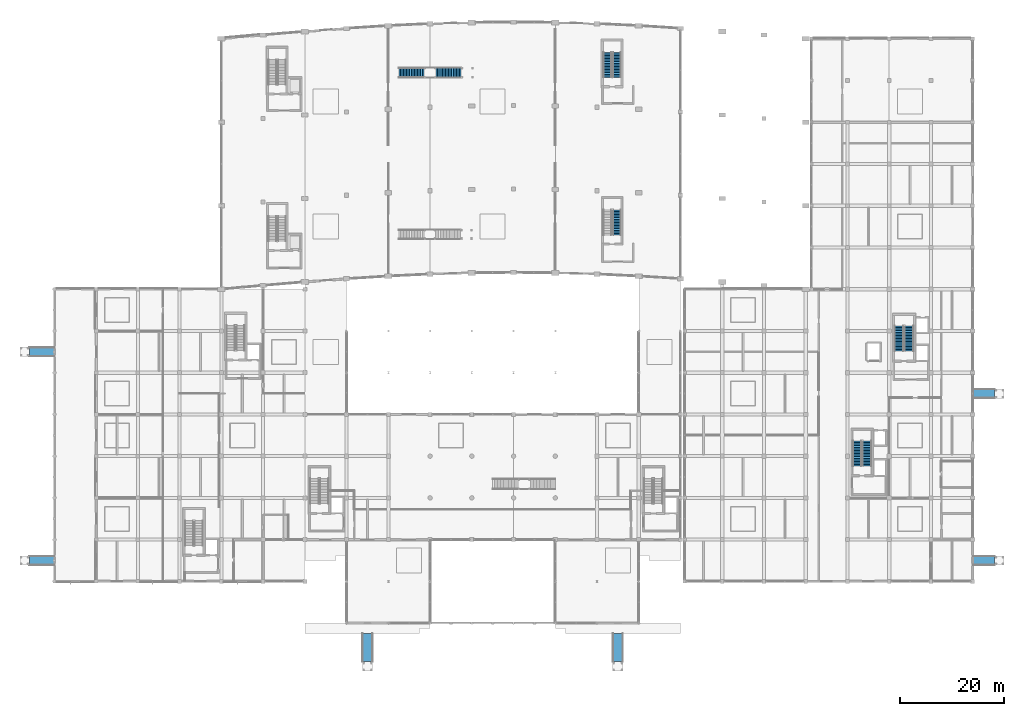
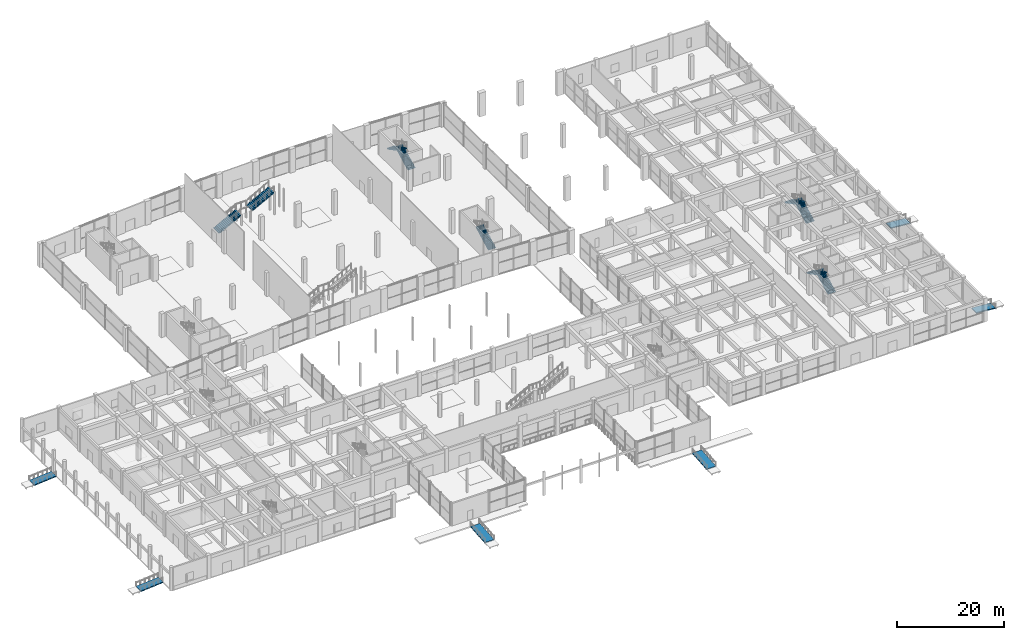
# One storey, part 64 of 86: 9 stair flights, 6 ramp flights, 11 elements without a shape of their own.
"""IFC4 building model written with IfcOpenShell, lengths in metres."""

from ifc_helpers import new_model, si_unit, direction, frame, origin, place, context, subcontext, project, spatial, polyline, outline, extrude, material, layer, layer_set, type_object, element, aggregate, save


model = new_model("IFC4")

# Units and contexts
model_context = context("Model", 3, precision=1e-05, world=origin(), true_north=direction((0.0, 1.0)))
body_context = subcontext(model_context, "Body", "Model", "MODEL_VIEW")
ifc_project = project(units=[si_unit("LENGTHUNIT", "METRE"), si_unit("AREAUNIT", "SQUARE_METRE"), si_unit("VOLUMEUNIT", "CUBIC_METRE"), si_unit("PLANEANGLEUNIT", "RADIAN"), si_unit("MASSUNIT", "GRAM", prefix="KILO")], contexts=[model_context])

# Site, building, storey
site_placement = place(None, origin())
site = spatial("IfcSite", under=ifc_project, at=site_placement, CompositionType="ELEMENT")
building_placement = place(site_placement, origin())
building = spatial("IfcBuilding", under=site, at=building_placement, Name="Kenh Van Central Station", CompositionType="ELEMENT")
storey_placement = place(building_placement, origin())
storey = spatial("IfcBuildingStorey", under=building, at=storey_placement, Name="L00", CompositionType="ELEMENT", Elevation=0.0)

# Stair, stair flight
ifc_material_1 = material(Name="Concrete C35/45", Category="concrete")
stair_type_1 = type_object("IfcStairType", Name="STR-DLG-1600", PredefinedType="HALF_TURN_STAIR", material=ifc_material_1)
stair_1_placement = place(storey_placement, origin())
stair_1 = element("IfcStair", 1, at=stair_1_placement, inside=storey, type_object=stair_type_1, Name="L00 Island Platform 1 East Evacuation Core", PredefinedType="HALF_TURN_STAIR")
ifc_layer_1 = layer(ifc_material_1, 0.179931640625, Name="Concrete C35/45")
ifc_layer_set_1 = layer_set([ifc_layer_1], Name="Concrete C35/45")
stair_flight_type_1 = type_object("IfcStairFlightType", Name="FLT-DLG-1600", PredefinedType="STRAIGHT", material=ifc_layer_set_1)
stair_flight_1_placement = place(storey_placement, frame((107.800048828125, 74.39990234375, 0.0), z_axis=(0.0, 0.0, 1.0), x_axis=(0.0, 1.0, 0.0)))
stair_flight_1 = element("IfcStairFlight", 2, at=stair_flight_1_placement, type_object=stair_flight_type_1, Name="ST-06 flight 1", NumberOfRisers=17, NumberOfTreads=16, PredefinedType="STRAIGHT", RiserHeight=0.158823529, TreadLength=0.3, context=body_context, shape_type="SweptSolid", body=[
    extrude(outline(polyline([(0.0, 0.0), (0.0, 0.158935546875), (0.300048828125, 0.158935546875), (0.300048828125, 0.317626953125), (0.60009765625, 0.317626953125), (0.60009765625, 0.4765625), (0.89990234375, 0.4765625), (0.89990234375, 0.63525390625), (1.199951171875, 0.63525390625), (1.199951171875, 0.794189453125), (1.5, 0.794189453125), (1.5, 0.952880859375), (1.800048828125, 0.952880859375), (1.800048828125, 1.11181640625), (2.10009765625, 1.11181640625), (2.10009765625, 1.2705078125), (2.39990234375, 1.2705078125), (2.39990234375, 1.429443359375), (2.699951171875, 1.429443359375), (2.699951171875, 1.588134765625), (3.0, 1.588134765625), (3.0, 1.7470703125), (3.300048828125, 1.7470703125), (3.300048828125, 1.90576171875), (3.60009765625, 1.90576171875), (3.60009765625, 2.064697265625), (3.89990234375, 2.064697265625), (3.89990234375, 2.2236328125), (4.199951171875, 2.2236328125), (4.199951171875, 2.38232421875), (4.5, 2.38232421875), (4.5, 2.541259765625), (4.800048828125, 2.541259765625), (4.800048828125, 2.699951171875), (4.800048828125, 2.337646484375), (0.384521484375, 0.0), (0.0, 0.0)])), frame((0.0, 0.800048828125, 0.0), z_axis=(0.0, -1.0, 0.0), x_axis=(1.0, 0.0, 0.0)), (0.0, 0.0, 1.0), 1.60009765625),
])
aggregate(stair_1, [stair_flight_1])

# Stair, stair flights
stair_2_placement = place(storey_placement, origin())
stair_2 = element("IfcStair", 3, at=stair_2_placement, inside=storey, type_object=stair_type_1, Name="L00 Island Platform 2 East Evacuation Core", PredefinedType="HALF_TURN_STAIR")
stair_flight_2_placement = place(storey_placement, frame((107.800048828125, 104.60009765625, 0.0), z_axis=(0.0, 0.0, 1.0), x_axis=(0.0, 1.0, 0.0)))
stair_flight_2 = element("IfcStairFlight", 4, at=stair_flight_2_placement, type_object=stair_flight_type_1, Name="ST-08 flight 1", NumberOfRisers=17, NumberOfTreads=16, PredefinedType="STRAIGHT", RiserHeight=0.158823529, TreadLength=0.3, context=body_context, shape_type="SweptSolid", body=[
    extrude(outline(polyline([(0.0, 0.0), (0.0, 0.158935546875), (0.300048828125, 0.158935546875), (0.300048828125, 0.317626953125), (0.60009765625, 0.317626953125), (0.60009765625, 0.4765625), (0.89990234375, 0.4765625), (0.89990234375, 0.63525390625), (1.199951171875, 0.63525390625), (1.199951171875, 0.794189453125), (1.5, 0.794189453125), (1.5, 0.952880859375), (1.800048828125, 0.952880859375), (1.800048828125, 1.11181640625), (2.10009765625, 1.11181640625), (2.10009765625, 1.2705078125), (2.39990234375, 1.2705078125), (2.39990234375, 1.429443359375), (2.699951171875, 1.429443359375), (2.699951171875, 1.588134765625), (3.0, 1.588134765625), (3.0, 1.7470703125), (3.300048828125, 1.7470703125), (3.300048828125, 1.90576171875), (3.60009765625, 1.90576171875), (3.60009765625, 2.064697265625), (3.89990234375, 2.064697265625), (3.89990234375, 2.2236328125), (4.199951171875, 2.2236328125), (4.199951171875, 2.38232421875), (4.5, 2.38232421875), (4.5, 2.541259765625), (4.800048828125, 2.541259765625), (4.800048828125, 2.699951171875), (4.800048828125, 2.337646484375), (0.384521484375, 0.0), (0.0, 0.0)])), frame((0.0, 0.800048828125, 0.0), z_axis=(0.0, -1.0, 0.0), x_axis=(1.0, 0.0, 0.0)), (0.0, 0.0, 1.0), 1.60009765625),
])
stair_flight_3_placement = place(storey_placement, frame((106.0, 109.39990234375, 2.699951171875), z_axis=(0.0, 0.0, 1.0), x_axis=(0.0, -1.0, 0.0)))
stair_flight_3 = element("IfcStairFlight", 5, at=stair_flight_3_placement, type_object=stair_flight_type_1, Name="ST-08 flight 2", NumberOfRisers=17, NumberOfTreads=16, PredefinedType="STRAIGHT", RiserHeight=0.158823529, TreadLength=0.3, context=body_context, shape_type="SweptSolid", body=[
    extrude(outline(polyline([(0.0, 0.0), (0.0, 0.158935546875), (0.300048828125, 0.158935546875), (0.300048828125, 0.317626953125), (0.60009765625, 0.317626953125), (0.60009765625, 0.4765625), (0.89990234375, 0.4765625), (0.89990234375, 0.63525390625), (1.199951171875, 0.63525390625), (1.199951171875, 0.794189453125), (1.5, 0.794189453125), (1.5, 0.952880859375), (1.800048828125, 0.952880859375), (1.800048828125, 1.11181640625), (2.10009765625, 1.11181640625), (2.10009765625, 1.2705078125), (2.39990234375, 1.2705078125), (2.39990234375, 1.429443359375), (2.699951171875, 1.429443359375), (2.699951171875, 1.588134765625), (3.0, 1.588134765625), (3.0, 1.7470703125), (3.300048828125, 1.7470703125), (3.300048828125, 1.90576171875), (3.60009765625, 1.90576171875), (3.60009765625, 2.064697265625), (3.89990234375, 2.064697265625), (3.89990234375, 2.2236328125), (4.199951171875, 2.2236328125), (4.199951171875, 2.38232421875), (4.5, 2.38232421875), (4.5, 2.541259765625), (4.800048828125, 2.541259765625), (4.800048828125, 2.699951171875), (4.800048828125, 2.337646484375), (0.384521484375, 0.0), (0.0, 0.0)])), frame((0.0, 0.800048828125, 0.0), z_axis=(0.0, -1.0, 0.0), x_axis=(1.0, 0.0, 0.0)), (0.0, 0.0, 1.0), 1.60009765625),
])
aggregate(stair_2, [stair_flight_2, stair_flight_3])

stair_type_2 = type_object("IfcStairType", Name="STR-DLG-1700", PredefinedType="HALF_TURN_STAIR", material=ifc_material_1)
stair_3_placement = place(storey_placement, origin())
stair_3 = element("IfcStair", 6, at=stair_3_placement, inside=storey, type_object=stair_type_2, Name="L00 Operations South Firefighting Core", PredefinedType="HALF_TURN_STAIR")
ifc_layer_2 = layer(ifc_material_1, 0.179931640625, Name="Concrete C35/45")
ifc_layer_set_2 = layer_set([ifc_layer_2], Name="Concrete C35/45")
stair_flight_type_2 = type_object("IfcStairFlightType", Name="FLT-DLG-1700", PredefinedType="STRAIGHT", material=ifc_layer_set_2)
stair_flight_4_placement = place(storey_placement, frame((155.75, 30.10009765625, 0.0), z_axis=(0.0, 0.0, 1.0), x_axis=(0.0, 1.0, 0.0)))
stair_flight_4 = element("IfcStairFlight", 7, at=stair_flight_4_placement, type_object=stair_flight_type_2, Name="ST-09 flight 1", NumberOfRisers=17, NumberOfTreads=16, PredefinedType="STRAIGHT", RiserHeight=0.158823529, TreadLength=0.3, context=body_context, shape_type="SweptSolid", body=[
    extrude(outline(polyline([(0.0, 0.0), (0.0, 0.158935546875), (0.300048828125, 0.158935546875), (0.300048828125, 0.317626953125), (0.60009765625, 0.317626953125), (0.60009765625, 0.4765625), (0.89990234375, 0.4765625), (0.89990234375, 0.63525390625), (1.199951171875, 0.63525390625), (1.199951171875, 0.794189453125), (1.5, 0.794189453125), (1.5, 0.952880859375), (1.800048828125, 0.952880859375), (1.800048828125, 1.11181640625), (2.10009765625, 1.11181640625), (2.10009765625, 1.2705078125), (2.39990234375, 1.2705078125), (2.39990234375, 1.429443359375), (2.699951171875, 1.429443359375), (2.699951171875, 1.588134765625), (3.0, 1.588134765625), (3.0, 1.7470703125), (3.300048828125, 1.7470703125), (3.300048828125, 1.90576171875), (3.60009765625, 1.90576171875), (3.60009765625, 2.064697265625), (3.89990234375, 2.064697265625), (3.89990234375, 2.2236328125), (4.199951171875, 2.2236328125), (4.199951171875, 2.38232421875), (4.5, 2.38232421875), (4.5, 2.541259765625), (4.800048828125, 2.541259765625), (4.800048828125, 2.699951171875), (4.800048828125, 2.337646484375), (0.384521484375, 0.0), (0.0, 0.0)])), frame((0.0, 0.85009765625, 0.0), z_axis=(0.0, -1.0, 0.0), x_axis=(1.0, 0.0, 0.0)), (0.0, 0.0, 1.0), 1.699951171875),
])
stair_flight_5_placement = place(storey_placement, frame((153.85009765625, 34.89990234375, 2.699951171875), z_axis=(0.0, 0.0, 1.0), x_axis=(0.0, -1.0, 0.0)))
stair_flight_5 = element("IfcStairFlight", 8, at=stair_flight_5_placement, type_object=stair_flight_type_2, Name="ST-09 flight 2", NumberOfRisers=17, NumberOfTreads=16, PredefinedType="STRAIGHT", RiserHeight=0.158823529, TreadLength=0.3, context=body_context, shape_type="SweptSolid", body=[
    extrude(outline(polyline([(0.0, 0.0), (0.0, 0.158935546875), (0.300048828125, 0.158935546875), (0.300048828125, 0.317626953125), (0.60009765625, 0.317626953125), (0.60009765625, 0.4765625), (0.89990234375, 0.4765625), (0.89990234375, 0.63525390625), (1.199951171875, 0.63525390625), (1.199951171875, 0.794189453125), (1.5, 0.794189453125), (1.5, 0.952880859375), (1.800048828125, 0.952880859375), (1.800048828125, 1.11181640625), (2.10009765625, 1.11181640625), (2.10009765625, 1.2705078125), (2.39990234375, 1.2705078125), (2.39990234375, 1.429443359375), (2.699951171875, 1.429443359375), (2.699951171875, 1.588134765625), (3.0, 1.588134765625), (3.0, 1.7470703125), (3.300048828125, 1.7470703125), (3.300048828125, 1.90576171875), (3.60009765625, 1.90576171875), (3.60009765625, 2.064697265625), (3.89990234375, 2.064697265625), (3.89990234375, 2.2236328125), (4.199951171875, 2.2236328125), (4.199951171875, 2.38232421875), (4.5, 2.38232421875), (4.5, 2.541259765625), (4.800048828125, 2.541259765625), (4.800048828125, 2.699951171875), (4.800048828125, 2.337646484375), (0.384521484375, 0.0), (0.0, 0.0)])), frame((0.0, 0.85009765625, 0.0), z_axis=(0.0, -1.0, 0.0), x_axis=(1.0, 0.0, 0.0)), (0.0, 0.0, 1.0), 1.699951171875),
])
aggregate(stair_3, [stair_flight_4, stair_flight_5])

stair_type_3 = type_object("IfcStairType", Name="STR-DLG-1750", PredefinedType="HALF_TURN_STAIR", material=ifc_material_1)
stair_4_placement = place(storey_placement, origin())
stair_4 = element("IfcStair", 9, at=stair_4_placement, inside=storey, type_object=stair_type_3, Name="L00 Operations North Firefighting and Goods Core", PredefinedType="HALF_TURN_STAIR")
ifc_layer_3 = layer(ifc_material_1, 0.179931640625, Name="Concrete C35/45")
ifc_layer_set_3 = layer_set([ifc_layer_3], Name="Concrete C35/45")
stair_flight_type_3 = type_object("IfcStairFlightType", Name="FLT-DLG-1750", PredefinedType="STRAIGHT", material=ifc_layer_set_3)
stair_flight_6_placement = place(storey_placement, frame((163.824951171875, 52.14990234375, 0.0), z_axis=(0.0, 0.0, 1.0), x_axis=(0.0, 1.0, 0.0)))
stair_flight_6 = element("IfcStairFlight", 10, at=stair_flight_6_placement, type_object=stair_flight_type_3, Name="ST-10 flight 1", NumberOfRisers=17, NumberOfTreads=16, PredefinedType="STRAIGHT", RiserHeight=0.158823529, TreadLength=0.3, context=body_context, shape_type="SweptSolid", body=[
    extrude(outline(polyline([(0.0, 0.0), (0.0, 0.158935546875), (0.300048828125, 0.158935546875), (0.300048828125, 0.317626953125), (0.60009765625, 0.317626953125), (0.60009765625, 0.4765625), (0.89990234375, 0.4765625), (0.89990234375, 0.63525390625), (1.199951171875, 0.63525390625), (1.199951171875, 0.794189453125), (1.5, 0.794189453125), (1.5, 0.952880859375), (1.800048828125, 0.952880859375), (1.800048828125, 1.11181640625), (2.10009765625, 1.11181640625), (2.10009765625, 1.2705078125), (2.39990234375, 1.2705078125), (2.39990234375, 1.429443359375), (2.699951171875, 1.429443359375), (2.699951171875, 1.588134765625), (3.0, 1.588134765625), (3.0, 1.7470703125), (3.300048828125, 1.7470703125), (3.300048828125, 1.90576171875), (3.60009765625, 1.90576171875), (3.60009765625, 2.064697265625), (3.89990234375, 2.064697265625), (3.89990234375, 2.2236328125), (4.199951171875, 2.2236328125), (4.199951171875, 2.38232421875), (4.5, 2.38232421875), (4.5, 2.541259765625), (4.800048828125, 2.541259765625), (4.800048828125, 2.699951171875), (4.800048828125, 2.337646484375), (0.384521484375, 0.0), (0.0, 0.0)])), frame((0.0, 0.875, 0.0), z_axis=(0.0, -1.0, 0.0), x_axis=(1.0, 0.0, 0.0)), (0.0, 0.0, 1.0), 1.75),
])
stair_flight_7_placement = place(storey_placement, frame((161.875, 56.949951171875, 2.699951171875), z_axis=(0.0, 0.0, 1.0), x_axis=(0.0, -1.0, 0.0)))
stair_flight_7 = element("IfcStairFlight", 11, at=stair_flight_7_placement, type_object=stair_flight_type_3, Name="ST-10 flight 2", NumberOfRisers=17, NumberOfTreads=16, PredefinedType="STRAIGHT", RiserHeight=0.158823529, TreadLength=0.3, context=body_context, shape_type="SweptSolid", body=[
    extrude(outline(polyline([(0.0, 0.0), (0.0, 0.158935546875), (0.300048828125, 0.158935546875), (0.300048828125, 0.317626953125), (0.60009765625, 0.317626953125), (0.60009765625, 0.4765625), (0.89990234375, 0.4765625), (0.89990234375, 0.63525390625), (1.199951171875, 0.63525390625), (1.199951171875, 0.794189453125), (1.5, 0.794189453125), (1.5, 0.952880859375), (1.800048828125, 0.952880859375), (1.800048828125, 1.11181640625), (2.10009765625, 1.11181640625), (2.10009765625, 1.2705078125), (2.39990234375, 1.2705078125), (2.39990234375, 1.429443359375), (2.699951171875, 1.429443359375), (2.699951171875, 1.588134765625), (3.0, 1.588134765625), (3.0, 1.7470703125), (3.300048828125, 1.7470703125), (3.300048828125, 1.90576171875), (3.60009765625, 1.90576171875), (3.60009765625, 2.064697265625), (3.89990234375, 2.064697265625), (3.89990234375, 2.2236328125), (4.199951171875, 2.2236328125), (4.199951171875, 2.38232421875), (4.5, 2.38232421875), (4.5, 2.541259765625), (4.800048828125, 2.541259765625), (4.800048828125, 2.699951171875), (4.800048828125, 2.337646484375), (0.384521484375, 0.0), (0.0, 0.0)])), frame((0.0, 0.875, 0.0), z_axis=(0.0, -1.0, 0.0), x_axis=(1.0, 0.0, 0.0)), (0.0, 0.0, 1.0), 1.75),
])
aggregate(stair_4, [stair_flight_6, stair_flight_7])

ifc_material_2 = material(Name="Concrete C40/50", Category="concrete")
stair_type_4 = type_object("IfcStairType", Name="STR-PUB-2050", PredefinedType="STRAIGHT_RUN_STAIR", material=ifc_material_2)
stair_5_placement = place(storey_placement, origin())
stair_5 = element("IfcStair", 12, at=stair_5_placement, inside=storey, type_object=stair_type_4, Name="Island Platform 2 Central Transfer Stair", PredefinedType="STRAIGHT_RUN_STAIR")
ifc_layer_4 = layer(ifc_material_2, 0.199951171875, Name="Concrete C40/50")
ifc_layer_set_4 = layer_set([ifc_layer_4], Name="Concrete C40/50")
stair_flight_type_4 = type_object("IfcStairFlightType", Name="FLT-PUB-2050", PredefinedType="STRAIGHT", material=ifc_layer_set_4)
stair_flight_8_placement = place(storey_placement, frame((66.0, 105.5, 0.0), z_axis=(0.0, 0.0, 1.0), x_axis=(1.0, 0.0, 0.0)))
stair_flight_8 = element("IfcStairFlight", 13, at=stair_flight_8_placement, type_object=stair_flight_type_4, Name="ST-P6A flight 1", NumberOfRisers=17, NumberOfTreads=16, PredefinedType="STRAIGHT", RiserHeight=0.158823529, TreadLength=0.3, context=body_context, shape_type="SweptSolid", body=[
    extrude(outline(polyline([(0.0, 0.0), (0.0, 0.158935546875), (0.300048828125, 0.158935546875), (0.300048828125, 0.317626953125), (0.60009765625, 0.317626953125), (0.60009765625, 0.4765625), (0.89990234375, 0.4765625), (0.89990234375, 0.63525390625), (1.199951171875, 0.63525390625), (1.199951171875, 0.794189453125), (1.5, 0.794189453125), (1.5, 0.952880859375), (1.800048828125, 0.952880859375), (1.800048828125, 1.11181640625), (2.10009765625, 1.11181640625), (2.10009765625, 1.2705078125), (2.39990234375, 1.2705078125), (2.39990234375, 1.429443359375), (2.699951171875, 1.429443359375), (2.699951171875, 1.588134765625), (3.0, 1.588134765625), (3.0, 1.7470703125), (3.300048828125, 1.7470703125), (3.300048828125, 1.90576171875), (3.60009765625, 1.90576171875), (3.60009765625, 2.064697265625), (3.89990234375, 2.064697265625), (3.89990234375, 2.2236328125), (4.199951171875, 2.2236328125), (4.199951171875, 2.38232421875), (4.5, 2.38232421875), (4.5, 2.541259765625), (4.800048828125, 2.541259765625), (4.800048828125, 2.699951171875), (4.800048828125, 2.31494140625), (0.42724609375, 0.0), (0.0, 0.0)])), frame((0.0, 1.02490234375, 0.0), z_axis=(0.0, -1.0, 0.0), x_axis=(1.0, 0.0, 0.0)), (0.0, 0.0, 1.0), 2.050048828125),
])
stair_flight_9_placement = place(storey_placement, frame((73.14990234375, 105.5, 2.699951171875), z_axis=(0.0, 0.0, 1.0), x_axis=(1.0, 0.0, 0.0)))
stair_flight_9 = element("IfcStairFlight", 14, at=stair_flight_9_placement, type_object=stair_flight_type_4, Name="ST-P6A flight 2", NumberOfRisers=17, NumberOfTreads=16, PredefinedType="STRAIGHT", RiserHeight=0.158823529, TreadLength=0.3, context=body_context, shape_type="SweptSolid", body=[
    extrude(outline(polyline([(0.0, 0.0), (0.0, 0.158935546875), (0.300048828125, 0.158935546875), (0.300048828125, 0.317626953125), (0.60009765625, 0.317626953125), (0.60009765625, 0.4765625), (0.89990234375, 0.4765625), (0.89990234375, 0.63525390625), (1.199951171875, 0.63525390625), (1.199951171875, 0.794189453125), (1.5, 0.794189453125), (1.5, 0.952880859375), (1.800048828125, 0.952880859375), (1.800048828125, 1.11181640625), (2.10009765625, 1.11181640625), (2.10009765625, 1.2705078125), (2.39990234375, 1.2705078125), (2.39990234375, 1.429443359375), (2.699951171875, 1.429443359375), (2.699951171875, 1.588134765625), (3.0, 1.588134765625), (3.0, 1.7470703125), (3.300048828125, 1.7470703125), (3.300048828125, 1.90576171875), (3.60009765625, 1.90576171875), (3.60009765625, 2.064697265625), (3.89990234375, 2.064697265625), (3.89990234375, 2.2236328125), (4.199951171875, 2.2236328125), (4.199951171875, 2.38232421875), (4.5, 2.38232421875), (4.5, 2.541259765625), (4.800048828125, 2.541259765625), (4.800048828125, 2.699951171875), (4.800048828125, 2.31494140625), (0.42724609375, 0.0), (0.0, 0.0)])), frame((0.0, 1.02490234375, 0.0), z_axis=(0.0, -1.0, 0.0), x_axis=(1.0, 0.0, 0.0)), (0.0, 0.0, 1.0), 2.050048828125),
])
aggregate(stair_5, [stair_flight_8, stair_flight_9])

# Ramp, ramp flight
ramp_type_1 = type_object("IfcRampType", Name="RMP-ACC-1800", PredefinedType="STRAIGHT_RUN_RAMP", material=ifc_material_2)
ramp_1_placement = place(storey_placement, origin())
ramp_1 = element("IfcRamp", 15, at=ramp_1_placement, inside=storey, type_object=ramp_type_1, Name="West Street Arcade South Accessible Ramp", PredefinedType="STRAIGHT_RUN_RAMP")
ifc_layer_5 = layer(ifc_material_2, 0.219970703125, Name="Concrete C40/50")
ifc_layer_set_5 = layer_set([ifc_layer_5], Name="Concrete C40/50")
ramp_flight_type_1 = type_object("IfcRampFlightType", Name="RMF-ACC-1800", PredefinedType="STRAIGHT", material=ifc_layer_set_5)
ramp_flight_1_placement = place(storey_placement, frame((-4.800048828125, 12.0, -0.39990234375), z_axis=(0.0, 0.0, 1.0), x_axis=(1.0, 0.0, 0.0)))
ramp_flight_1 = element("IfcRampFlight", 16, at=ramp_flight_1_placement, type_object=ramp_flight_type_1, Name="West Street Arcade South Accessible Ramp flight 1", PredefinedType="STRAIGHT", context=body_context, shape_type="SweptSolid", body=[
    extrude(outline(polyline([(0.0, 0.0), (0.0, -0.219970703125), (4.800048828125, 0.179931640625), (4.800048828125, 0.39990234375), (0.0, 0.0)])), frame((0.0, 0.89990234375, 0.0), z_axis=(0.0, -1.0, 0.0), x_axis=(1.0, 0.0, 0.0)), (0.0, 0.0, 1.0), 1.800048828125),
])
aggregate(ramp_1, [ramp_flight_1])

ramp_2_placement = place(storey_placement, origin())
ramp_2 = element("IfcRamp", 17, at=ramp_2_placement, inside=storey, type_object=ramp_type_1, Name="West Street Arcade North Accessible Ramp", PredefinedType="STRAIGHT_RUN_RAMP")
ramp_flight_2_placement = place(storey_placement, frame((-4.800048828125, 52.0, -0.39990234375), z_axis=(0.0, 0.0, 1.0), x_axis=(1.0, 0.0, 0.0)))
ramp_flight_2 = element("IfcRampFlight", 18, at=ramp_flight_2_placement, type_object=ramp_flight_type_1, Name="West Street Arcade North Accessible Ramp flight 1", PredefinedType="STRAIGHT", context=body_context, shape_type="SweptSolid", body=[
    extrude(outline(polyline([(0.0, 0.0), (0.0, -0.219970703125), (4.800048828125, 0.179931640625), (4.800048828125, 0.39990234375), (0.0, 0.0)])), frame((0.0, 0.89990234375, 0.0), z_axis=(0.0, -1.0, 0.0), x_axis=(1.0, 0.0, 0.0)), (0.0, 0.0, 1.0), 1.800048828125),
])
aggregate(ramp_2, [ramp_flight_2])

ramp_3_placement = place(storey_placement, origin())
ramp_3 = element("IfcRamp", 19, at=ramp_3_placement, inside=storey, type_object=ramp_type_1, Name="Fire Command Street Threshold Ramp", PredefinedType="STRAIGHT_RUN_RAMP")
ramp_flight_3_placement = place(storey_placement, frame((180.199951171875, 12.0, -0.35009765625), z_axis=(0.0, 0.0, 1.0), x_axis=(-1.0, 0.0, 0.0)))
ramp_flight_3 = element("IfcRampFlight", 20, at=ramp_flight_3_placement, type_object=ramp_flight_type_1, Name="Fire Command Street Threshold Ramp flight 1", PredefinedType="STRAIGHT", context=body_context, shape_type="SweptSolid", body=[
    extrude(outline(polyline([(0.0, 0.0), (0.0, -0.219970703125), (4.199951171875, 0.130126953125), (4.199951171875, 0.35009765625), (0.0, 0.0)])), frame((0.0, 0.89990234375, 0.0), z_axis=(0.0, -1.0, 0.0), x_axis=(1.0, 0.0, 0.0)), (0.0, 0.0, 1.0), 1.800048828125),
])
aggregate(ramp_3, [ramp_flight_3])

ramp_4_placement = place(storey_placement, origin())
ramp_4 = element("IfcRamp", 21, at=ramp_4_placement, inside=storey, type_object=ramp_type_1, Name="Operations East Entrance Accessible Ramp", PredefinedType="STRAIGHT_RUN_RAMP")
ramp_flight_4_placement = place(storey_placement, frame((180.199951171875, 44.0, -0.35009765625), z_axis=(0.0, 0.0, 1.0), x_axis=(-1.0, 0.0, 0.0)))
ramp_flight_4 = element("IfcRampFlight", 22, at=ramp_flight_4_placement, type_object=ramp_flight_type_1, Name="Operations East Entrance Accessible Ramp flight 1", PredefinedType="STRAIGHT", context=body_context, shape_type="SweptSolid", body=[
    extrude(outline(polyline([(0.0, 0.0), (0.0, -0.219970703125), (4.199951171875, 0.130126953125), (4.199951171875, 0.35009765625), (0.0, 0.0)])), frame((0.0, 0.89990234375, 0.0), z_axis=(0.0, -1.0, 0.0), x_axis=(1.0, 0.0, 0.0)), (0.0, 0.0, 1.0), 1.800048828125),
])
aggregate(ramp_4, [ramp_flight_4])

ramp_type_2 = type_object("IfcRampType", Name="RMP-ACC-2000", PredefinedType="STRAIGHT_RUN_RAMP", material=ifc_material_2)
ramp_5_placement = place(storey_placement, origin())
ramp_5 = element("IfcRamp", 23, at=ramp_5_placement, inside=storey, type_object=ramp_type_2, Name="Forecourt West Drop-Off Accessible Ramp", PredefinedType="STRAIGHT_RUN_RAMP")
ifc_layer_6 = layer(ifc_material_2, 0.219970703125, Name="Concrete C40/50")
ifc_layer_set_6 = layer_set([ifc_layer_6], Name="Concrete C40/50")
ramp_flight_type_2 = type_object("IfcRampFlightType", Name="RMF-ACC-2000", PredefinedType="STRAIGHT", material=ifc_layer_set_6)
ramp_flight_5_placement = place(storey_placement, frame((60.0, -7.39990234375, -0.449951171875), z_axis=(0.0, 0.0, 1.0), x_axis=(0.0, 1.0, 0.0)))
ramp_flight_5 = element("IfcRampFlight", 24, at=ramp_flight_5_placement, type_object=ramp_flight_type_2, Name="Forecourt West Drop-Off Accessible Ramp flight 1", PredefinedType="STRAIGHT", context=body_context, shape_type="SweptSolid", body=[
    extrude(outline(polyline([(0.0, 0.0), (0.0, -0.219970703125), (5.39990234375, 0.22998046875), (5.39990234375, 0.449951171875), (0.0, 0.0)])), frame((0.0, 1.0, 0.0), z_axis=(0.0, -1.0, 0.0), x_axis=(1.0, 0.0, 0.0)), (0.0, 0.0, 1.0), 2.0),
])
aggregate(ramp_5, [ramp_flight_5])

ramp_6_placement = place(storey_placement, origin())
ramp_6 = element("IfcRamp", 25, at=ramp_6_placement, inside=storey, type_object=ramp_type_2, Name="Forecourt East Drop-Off Accessible Ramp", PredefinedType="STRAIGHT_RUN_RAMP")
ramp_flight_6_placement = place(storey_placement, frame((108.0, -7.39990234375, -0.449951171875), z_axis=(0.0, 0.0, 1.0), x_axis=(0.0, 1.0, 0.0)))
ramp_flight_6 = element("IfcRampFlight", 26, at=ramp_flight_6_placement, type_object=ramp_flight_type_2, Name="Forecourt East Drop-Off Accessible Ramp flight 1", PredefinedType="STRAIGHT", context=body_context, shape_type="SweptSolid", body=[
    extrude(outline(polyline([(0.0, 0.0), (0.0, -0.219970703125), (5.39990234375, 0.22998046875), (5.39990234375, 0.449951171875), (0.0, 0.0)])), frame((0.0, 1.0, 0.0), z_axis=(0.0, -1.0, 0.0), x_axis=(1.0, 0.0, 0.0)), (0.0, 0.0, 1.0), 2.0),
])
aggregate(ramp_6, [ramp_flight_6])

save(model, "model.ifc")
